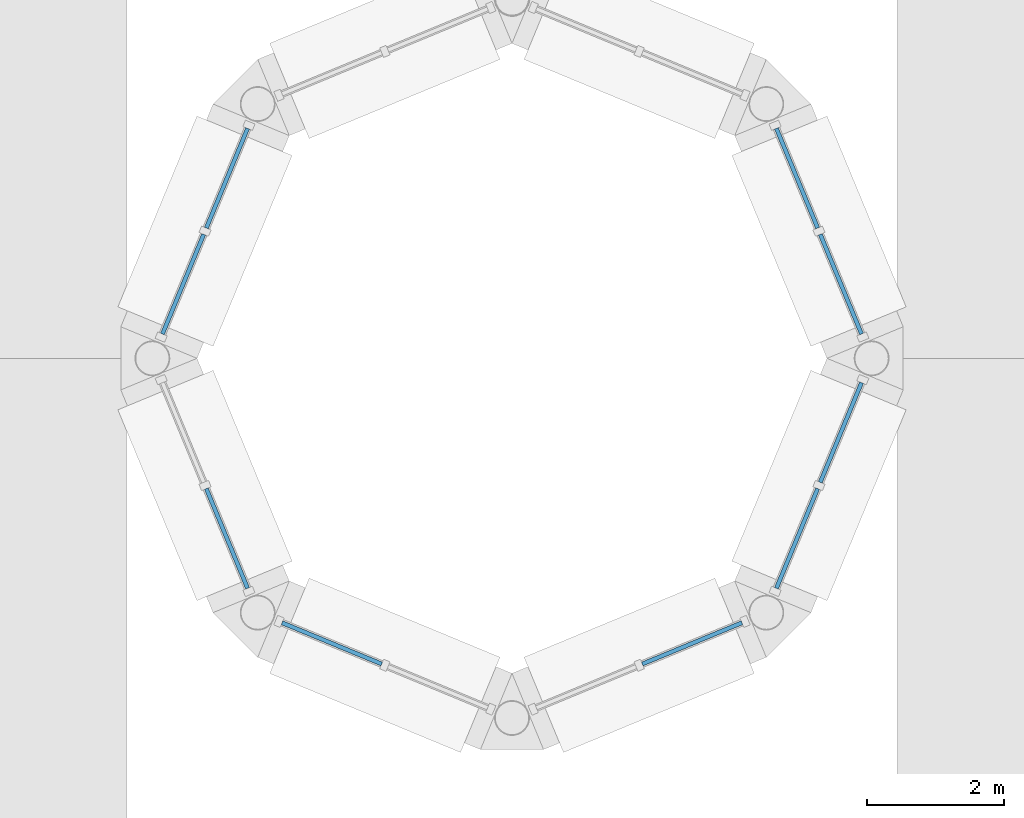
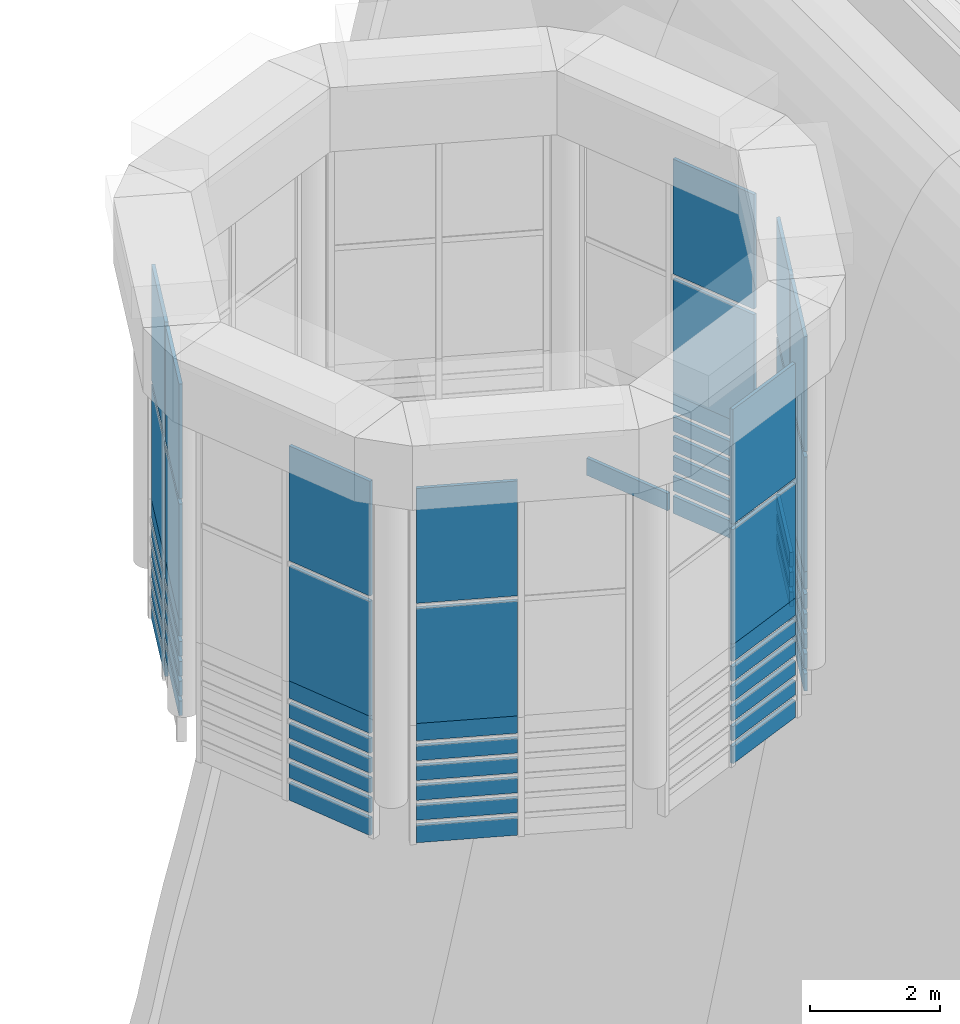
# One storey, part 5 of 14: 64 plates, 12 elements without a shape of their own.
"""IFC4 building model written with IfcOpenShell, lengths in metres."""

from ifc_helpers import new_model, si_unit, direction, frame, origin, origin_2d, place, context, subcontext, project, spatial, rectangle, extrude, material, layer, layer_set, type_object, element, aggregate, save


model = new_model("IFC4")

# Units and contexts
model_context = context("Model", 3, precision=1e-05, world=origin(), true_north=direction((0.0, 1.0)))
body_context = subcontext(model_context, "Body", "Model", "MODEL_VIEW")
ifc_project = project(units=[si_unit("LENGTHUNIT", "METRE"), si_unit("AREAUNIT", "SQUARE_METRE"), si_unit("VOLUMEUNIT", "CUBIC_METRE"), si_unit("PLANEANGLEUNIT", "RADIAN"), si_unit("MASSUNIT", "GRAM", prefix="KILO")], contexts=[model_context])

# Site, building, storey
site_placement = place(None, origin())
site = spatial("IfcSite", under=ifc_project, at=site_placement, CompositionType="ELEMENT")
building_placement = place(site_placement, origin())
building = spatial("IfcBuilding", under=site, at=building_placement, Name="Cobrizo Arcos Hotel Tower", CompositionType="ELEMENT")
storey_placement = place(building_placement, frame((0.0, 0.0, 290.0)))
storey = spatial("IfcBuildingStorey", under=building, at=storey_placement, Name="RF", CompositionType="ELEMENT", Elevation=290.0)

# Curtain wall, plates
ifc_material_1 = material(Name="Aluminium 6063-T6 anodised bronze", Category="aluminium")
curtain_wall_type = type_object("IfcCurtainWallType", Name="CW-D plant louvre wall", PredefinedType="NOTDEFINED", material=ifc_material_1)
curtain_wall_1_placement = place(storey_placement, origin())
curtain_wall_1 = element("IfcCurtainWall", 1, at=curtain_wall_1_placement, inside=storey, type_object=curtain_wall_type, Name="CW-D drum louvre wall t3L-1", PredefinedType="NOTDEFINED")
ifc_material_2 = material(Name="Glass clear laminated low-e", Category="glass")
ifc_layer_1 = layer(ifc_material_2, 0.0400390625)
ifc_layer_set_1 = layer_set([ifc_layer_1], Name="CW-D glass panel")
plate_type_1 = type_object("IfcPlateType", Name="CW-D glass panel", PredefinedType="CURTAIN_PANEL", material=ifc_layer_set_1)
plate_1_placement = place(storey_placement, frame((4.785400390625, 1.079345703125, 1.400146484375), z_axis=(0.0, 0.0, 1.0), x_axis=(-0.382683432365, 0.923879532511, 0.0)))
plate_1 = element("IfcPlate", 2, at=plate_1_placement, type_object=plate_type_1, Name="CW-D louvre panel 1-0", PredefinedType="CURTAIN_PANEL", context=body_context, shape_type="SweptSolid", body=[
    extrude(rectangle(XDim=1.568359375, YDim=0.06005859375, at=origin_2d()), origin(), (0.0, 0.0, 1.0), 2.14990234375),
])
plate_2_placement = place(storey_placement, frame((4.785400390625, 1.079345703125, 3.650146484375), z_axis=(0.0, 0.0, 1.0), x_axis=(-0.382683432365, 0.923879532511, 0.0)))
plate_2 = element("IfcPlate", 3, at=plate_2_placement, type_object=plate_type_1, Name="CW-D louvre panel 1-1", PredefinedType="CURTAIN_PANEL", context=body_context, shape_type="SweptSolid", body=[
    extrude(rectangle(XDim=1.568359375, YDim=0.06005859375, at=origin_2d()), origin(), (0.0, 0.0, 1.0), 2.14990234375),
])
aggregate(curtain_wall_1, [plate_1, plate_2])

curtain_wall_2_placement = place(storey_placement, origin())
curtain_wall_2 = element("IfcCurtainWall", 4, at=curtain_wall_2_placement, inside=storey, type_object=curtain_wall_type, Name="CW-D drum louvre wall t3L-4", PredefinedType="NOTDEFINED")
plate_3_placement = place(storey_placement, frame((-4.147216796875, 2.62060546875, 1.400146484375), z_axis=(0.0, 0.0, 1.0), x_axis=(-0.382683432365, -0.923879532511, 0.0)))
plate_3 = element("IfcPlate", 5, at=plate_3_placement, type_object=plate_type_1, Name="CW-D louvre panel 1-0", PredefinedType="CURTAIN_PANEL", context=body_context, shape_type="SweptSolid", body=[
    extrude(rectangle(XDim=1.568359375, YDim=0.06005859375, at=origin_2d()), origin(), (0.0, 0.0, 1.0), 2.14990234375),
])
plate_4_placement = place(storey_placement, frame((-4.147216796875, 2.62060546875, 3.650146484375), z_axis=(0.0, 0.0, 1.0), x_axis=(-0.382683432365, -0.923879532511, 0.0)))
plate_4 = element("IfcPlate", 6, at=plate_4_placement, type_object=plate_type_1, Name="CW-D louvre panel 1-1", PredefinedType="CURTAIN_PANEL", context=body_context, shape_type="SweptSolid", body=[
    extrude(rectangle(XDim=1.568359375, YDim=0.06005859375, at=origin_2d()), origin(), (0.0, 0.0, 1.0), 2.14990234375),
])
plate_5_placement = place(storey_placement, frame((-4.785400390625, 1.079345703125, 1.400146484375), z_axis=(0.0, 0.0, 1.0), x_axis=(-0.382683432365, -0.923879532511, 0.0)))
plate_5 = element("IfcPlate", 7, at=plate_5_placement, type_object=plate_type_1, Name="CW-D louvre panel 2-0", PredefinedType="CURTAIN_PANEL", context=body_context, shape_type="SweptSolid", body=[
    extrude(rectangle(XDim=1.568359375, YDim=0.06005859375, at=origin_2d()), origin(), (0.0, 0.0, 1.0), 2.14990234375),
])
plate_6_placement = place(storey_placement, frame((-4.785400390625, 1.079345703125, 3.650146484375), z_axis=(0.0, 0.0, 1.0), x_axis=(-0.382683432365, -0.923879532511, 0.0)))
plate_6 = element("IfcPlate", 8, at=plate_6_placement, type_object=plate_type_1, Name="CW-D louvre panel 2-1", PredefinedType="CURTAIN_PANEL", context=body_context, shape_type="SweptSolid", body=[
    extrude(rectangle(XDim=1.568359375, YDim=0.06005859375, at=origin_2d()), origin(), (0.0, 0.0, 1.0), 2.14990234375),
])
aggregate(curtain_wall_2, [plate_3, plate_4, plate_5, plate_6])

curtain_wall_3_placement = place(storey_placement, origin())
curtain_wall_3 = element("IfcCurtainWall", 9, at=curtain_wall_3_placement, inside=storey, type_object=curtain_wall_type, Name="CW-D drum louvre wall t3L-5", PredefinedType="NOTDEFINED")
plate_7_placement = place(storey_placement, frame((-4.147216796875, -2.62060546875, 1.400146484375), z_axis=(0.0, 0.0, 1.0), x_axis=(0.382683432365, -0.923879532511, 0.0)))
plate_7 = element("IfcPlate", 10, at=plate_7_placement, type_object=plate_type_1, Name="CW-D louvre panel 2-0", PredefinedType="CURTAIN_PANEL", context=body_context, shape_type="SweptSolid", body=[
    extrude(rectangle(XDim=1.568359375, YDim=0.06005859375, at=origin_2d()), origin(), (0.0, 0.0, 1.0), 2.14990234375),
])
plate_8_placement = place(storey_placement, frame((-4.147216796875, -2.62060546875, 3.650146484375), z_axis=(0.0, 0.0, 1.0), x_axis=(0.382683432365, -0.923879532511, 0.0)))
plate_8 = element("IfcPlate", 11, at=plate_8_placement, type_object=plate_type_1, Name="CW-D louvre panel 2-1", PredefinedType="CURTAIN_PANEL", context=body_context, shape_type="SweptSolid", body=[
    extrude(rectangle(XDim=1.568359375, YDim=0.06005859375, at=origin_2d()), origin(), (0.0, 0.0, 1.0), 2.14990234375),
])
aggregate(curtain_wall_3, [plate_7, plate_8])

curtain_wall_4_placement = place(storey_placement, origin())
curtain_wall_4 = element("IfcCurtainWall", 12, at=curtain_wall_4_placement, inside=storey, type_object=curtain_wall_type, Name="CW-D drum louvre wall t3L-6", PredefinedType="NOTDEFINED")
plate_9_placement = place(storey_placement, frame((-2.62060546875, -4.147216796875, 1.400146484375), z_axis=(0.0, 0.0, 1.0), x_axis=(0.923879532511, -0.382683432365, 0.0)))
plate_9 = element("IfcPlate", 13, at=plate_9_placement, type_object=plate_type_1, Name="CW-D louvre panel 1-0", PredefinedType="CURTAIN_PANEL", context=body_context, shape_type="SweptSolid", body=[
    extrude(rectangle(XDim=1.568359375, YDim=0.06005859375, at=origin_2d()), origin(), (0.0, 0.0, 1.0), 2.14990234375),
])
plate_10_placement = place(storey_placement, frame((-2.62060546875, -4.147216796875, 3.650146484375), z_axis=(0.0, 0.0, 1.0), x_axis=(0.923879532511, -0.382683432365, 0.0)))
plate_10 = element("IfcPlate", 14, at=plate_10_placement, type_object=plate_type_1, Name="CW-D louvre panel 1-1", PredefinedType="CURTAIN_PANEL", context=body_context, shape_type="SweptSolid", body=[
    extrude(rectangle(XDim=1.568359375, YDim=0.06005859375, at=origin_2d()), origin(), (0.0, 0.0, 1.0), 2.14990234375),
])
aggregate(curtain_wall_4, [plate_9, plate_10])

curtain_wall_5_placement = place(storey_placement, origin())
curtain_wall_5 = element("IfcCurtainWall", 15, at=curtain_wall_5_placement, inside=storey, type_object=curtain_wall_type, Name="CW-D drum louvre wall t3L-7", PredefinedType="NOTDEFINED")
plate_11_placement = place(storey_placement, frame((2.62060546875, -4.147216796875, 1.400146484375), z_axis=(0.0, 0.0, 1.0), x_axis=(0.923879532511, 0.382683432365, 0.0)))
plate_11 = element("IfcPlate", 16, at=plate_11_placement, type_object=plate_type_1, Name="CW-D louvre panel 2-0", PredefinedType="CURTAIN_PANEL", context=body_context, shape_type="SweptSolid", body=[
    extrude(rectangle(XDim=1.568359375, YDim=0.06005859375, at=origin_2d()), origin(), (0.0, 0.0, 1.0), 2.14990234375),
])
plate_12_placement = place(storey_placement, frame((2.62060546875, -4.147216796875, 3.650146484375), z_axis=(0.0, 0.0, 1.0), x_axis=(0.923879532511, 0.382683432365, 0.0)))
plate_12 = element("IfcPlate", 17, at=plate_12_placement, type_object=plate_type_1, Name="CW-D louvre panel 2-1", PredefinedType="CURTAIN_PANEL", context=body_context, shape_type="SweptSolid", body=[
    extrude(rectangle(XDim=1.568359375, YDim=0.06005859375, at=origin_2d()), origin(), (0.0, 0.0, 1.0), 2.14990234375),
])
aggregate(curtain_wall_5, [plate_11, plate_12])

curtain_wall_6_placement = place(storey_placement, origin())
curtain_wall_6 = element("IfcCurtainWall", 18, at=curtain_wall_6_placement, inside=storey, type_object=curtain_wall_type, Name="CW-D drum louvre wall t3L-8", PredefinedType="NOTDEFINED")
plate_13_placement = place(storey_placement, frame((4.147216796875, -2.62060546875, 1.400146484375), z_axis=(0.0, 0.0, 1.0), x_axis=(0.382683432365, 0.923879532511, 0.0)))
plate_13 = element("IfcPlate", 19, at=plate_13_placement, type_object=plate_type_1, Name="CW-D louvre panel 1-0", PredefinedType="CURTAIN_PANEL", context=body_context, shape_type="SweptSolid", body=[
    extrude(rectangle(XDim=1.568359375, YDim=0.06005859375, at=origin_2d()), origin(), (0.0, 0.0, 1.0), 2.14990234375),
])
plate_14_placement = place(storey_placement, frame((4.147216796875, -2.62060546875, 3.650146484375), z_axis=(0.0, 0.0, 1.0), x_axis=(0.382683432365, 0.923879532511, 0.0)))
plate_14 = element("IfcPlate", 20, at=plate_14_placement, type_object=plate_type_1, Name="CW-D louvre panel 1-1", PredefinedType="CURTAIN_PANEL", context=body_context, shape_type="SweptSolid", body=[
    extrude(rectangle(XDim=1.568359375, YDim=0.06005859375, at=origin_2d()), origin(), (0.0, 0.0, 1.0), 2.14990234375),
])
plate_15_placement = place(storey_placement, frame((4.785400390625, -1.079345703125, 1.400146484375), z_axis=(0.0, 0.0, 1.0), x_axis=(0.382683432365, 0.923879532511, 0.0)))
plate_15 = element("IfcPlate", 21, at=plate_15_placement, type_object=plate_type_1, Name="CW-D louvre panel 2-0", PredefinedType="CURTAIN_PANEL", context=body_context, shape_type="SweptSolid", body=[
    extrude(rectangle(XDim=1.568359375, YDim=0.06005859375, at=origin_2d()), origin(), (0.0, 0.0, 1.0), 2.14990234375),
])
plate_16_placement = place(storey_placement, frame((4.785400390625, -1.079345703125, 3.650146484375), z_axis=(0.0, 0.0, 1.0), x_axis=(0.382683432365, 0.923879532511, 0.0)))
plate_16 = element("IfcPlate", 22, at=plate_16_placement, type_object=plate_type_1, Name="CW-D louvre panel 2-1", PredefinedType="CURTAIN_PANEL", context=body_context, shape_type="SweptSolid", body=[
    extrude(rectangle(XDim=1.568359375, YDim=0.06005859375, at=origin_2d()), origin(), (0.0, 0.0, 1.0), 2.14990234375),
])
aggregate(curtain_wall_6, [plate_13, plate_14, plate_15, plate_16])

curtain_wall_7_placement = place(storey_placement, origin())
curtain_wall_7 = element("IfcCurtainWall", 23, at=curtain_wall_7_placement, inside=storey, type_object=curtain_wall_type, Name="CW-D drum louvre wall t3-1", PredefinedType="NOTDEFINED")
ifc_material_3 = material(Name="Aluminium composite panel pale metal", Category="aluminium")
ifc_layer_2 = layer(ifc_material_3, 0.06005859375)
ifc_layer_set_2 = layer_set([ifc_layer_2], Name="CW-D spandrel panel")
plate_type_2 = type_object("IfcPlateType", Name="CW-D spandrel panel", PredefinedType="CURTAIN_PANEL", material=ifc_layer_set_2)
plate_17_placement = place(storey_placement, frame((4.785400390625, 1.079345703125, -0.833251953125), z_axis=(0.0, 0.0, 1.0), x_axis=(-0.382683432365, 0.923879532511, 0.0)))
plate_17 = element("IfcPlate", 24, at=plate_17_placement, type_object=plate_type_2, Name="CW-D louvre panel 1-0", PredefinedType="CURTAIN_PANEL", context=body_context, shape_type="SweptSolid", body=[
    extrude(rectangle(XDim=1.568359375, YDim=0.06005859375, at=origin_2d()), origin(), (0.0, 0.0, 1.0), 0.322265625),
])
plate_18_placement = place(storey_placement, frame((4.785400390625, 1.079345703125, -0.4111328125), z_axis=(0.0, 0.0, 1.0), x_axis=(-0.382683432365, 0.923879532511, 0.0)))
plate_18 = element("IfcPlate", 25, at=plate_18_placement, type_object=plate_type_2, Name="CW-D louvre panel 1-1", PredefinedType="CURTAIN_PANEL", context=body_context, shape_type="SweptSolid", body=[
    extrude(rectangle(XDim=1.568359375, YDim=0.06005859375, at=origin_2d()), origin(), (0.0, 0.0, 1.0), 0.272216796875),
])
plate_19_placement = place(storey_placement, frame((4.785400390625, 1.079345703125, -0.0390625), z_axis=(0.0, 0.0, 1.0), x_axis=(-0.382683432365, 0.923879532511, 0.0)))
plate_19 = element("IfcPlate", 26, at=plate_19_placement, type_object=plate_type_2, Name="CW-D louvre panel 1-2", PredefinedType="CURTAIN_PANEL", context=body_context, shape_type="SweptSolid", body=[
    extrude(rectangle(XDim=1.568359375, YDim=0.06005859375, at=origin_2d()), origin(), (0.0, 0.0, 1.0), 0.272216796875),
])
plate_20_placement = place(storey_placement, frame((4.785400390625, 1.079345703125, 0.33349609375), z_axis=(0.0, 0.0, 1.0), x_axis=(-0.382683432365, 0.923879532511, 0.0)))
plate_20 = element("IfcPlate", 27, at=plate_20_placement, type_object=plate_type_2, Name="CW-D louvre panel 1-3", PredefinedType="CURTAIN_PANEL", context=body_context, shape_type="SweptSolid", body=[
    extrude(rectangle(XDim=1.568359375, YDim=0.06005859375, at=origin_2d()), origin(), (0.0, 0.0, 1.0), 0.272216796875),
])
plate_21_placement = place(storey_placement, frame((4.785400390625, 1.079345703125, 0.70556640625), z_axis=(0.0, 0.0, 1.0), x_axis=(-0.382683432365, 0.923879532511, 0.0)))
plate_21 = element("IfcPlate", 28, at=plate_21_placement, type_object=plate_type_2, Name="CW-D louvre panel 1-4", PredefinedType="CURTAIN_PANEL", context=body_context, shape_type="SweptSolid", body=[
    extrude(rectangle(XDim=1.568359375, YDim=0.06005859375, at=origin_2d()), origin(), (0.0, 0.0, 1.0), 0.272216796875),
])
plate_22_placement = place(storey_placement, frame((4.785400390625, 1.079345703125, 1.077880859375), z_axis=(0.0, 0.0, 1.0), x_axis=(-0.382683432365, 0.923879532511, 0.0)))
plate_22 = element("IfcPlate", 29, at=plate_22_placement, type_object=plate_type_2, Name="CW-D louvre panel 1-5", PredefinedType="CURTAIN_PANEL", context=body_context, shape_type="SweptSolid", body=[
    extrude(rectangle(XDim=1.568359375, YDim=0.06005859375, at=origin_2d()), origin(), (0.0, 0.0, 1.0), 0.322265625),
])
plate_23_placement = place(storey_placement, frame((4.147216796875, 2.62060546875, -0.833251953125), z_axis=(0.0, 0.0, 1.0), x_axis=(-0.382683432365, 0.923879532511, 0.0)))
plate_23 = element("IfcPlate", 30, at=plate_23_placement, type_object=plate_type_2, Name="CW-D louvre panel 2-0", PredefinedType="CURTAIN_PANEL", context=body_context, shape_type="SweptSolid", body=[
    extrude(rectangle(XDim=1.568359375, YDim=0.06005859375, at=origin_2d()), origin(), (0.0, 0.0, 1.0), 0.322265625),
])
aggregate(curtain_wall_7, [plate_17, plate_18, plate_19, plate_20, plate_21, plate_22, plate_23])

curtain_wall_8_placement = place(storey_placement, origin())
curtain_wall_8 = element("IfcCurtainWall", 31, at=curtain_wall_8_placement, inside=storey, type_object=curtain_wall_type, Name="CW-D drum louvre wall t3-4", PredefinedType="NOTDEFINED")
plate_24_placement = place(storey_placement, frame((-4.147216796875, 2.62060546875, -0.833251953125), z_axis=(0.0, 0.0, 1.0), x_axis=(-0.382683432365, -0.923879532511, 0.0)))
plate_24 = element("IfcPlate", 32, at=plate_24_placement, type_object=plate_type_2, Name="CW-D louvre panel 1-0", PredefinedType="CURTAIN_PANEL", context=body_context, shape_type="SweptSolid", body=[
    extrude(rectangle(XDim=1.568359375, YDim=0.06005859375, at=origin_2d()), origin(), (0.0, 0.0, 1.0), 0.322265625),
])
plate_25_placement = place(storey_placement, frame((-4.147216796875, 2.62060546875, -0.4111328125), z_axis=(0.0, 0.0, 1.0), x_axis=(-0.382683432365, -0.923879532511, 0.0)))
plate_25 = element("IfcPlate", 33, at=plate_25_placement, type_object=plate_type_2, Name="CW-D louvre panel 1-1", PredefinedType="CURTAIN_PANEL", context=body_context, shape_type="SweptSolid", body=[
    extrude(rectangle(XDim=1.568359375, YDim=0.06005859375, at=origin_2d()), origin(), (0.0, 0.0, 1.0), 0.272216796875),
])
plate_26_placement = place(storey_placement, frame((-4.147216796875, 2.62060546875, -0.0390625), z_axis=(0.0, 0.0, 1.0), x_axis=(-0.382683432365, -0.923879532511, 0.0)))
plate_26 = element("IfcPlate", 34, at=plate_26_placement, type_object=plate_type_2, Name="CW-D louvre panel 1-2", PredefinedType="CURTAIN_PANEL", context=body_context, shape_type="SweptSolid", body=[
    extrude(rectangle(XDim=1.568359375, YDim=0.06005859375, at=origin_2d()), origin(), (0.0, 0.0, 1.0), 0.272216796875),
])
plate_27_placement = place(storey_placement, frame((-4.147216796875, 2.62060546875, 0.33349609375), z_axis=(0.0, 0.0, 1.0), x_axis=(-0.382683432365, -0.923879532511, 0.0)))
plate_27 = element("IfcPlate", 35, at=plate_27_placement, type_object=plate_type_2, Name="CW-D louvre panel 1-3", PredefinedType="CURTAIN_PANEL", context=body_context, shape_type="SweptSolid", body=[
    extrude(rectangle(XDim=1.568359375, YDim=0.06005859375, at=origin_2d()), origin(), (0.0, 0.0, 1.0), 0.272216796875),
])
plate_28_placement = place(storey_placement, frame((-4.147216796875, 2.62060546875, 0.70556640625), z_axis=(0.0, 0.0, 1.0), x_axis=(-0.382683432365, -0.923879532511, 0.0)))
plate_28 = element("IfcPlate", 36, at=plate_28_placement, type_object=plate_type_2, Name="CW-D louvre panel 1-4", PredefinedType="CURTAIN_PANEL", context=body_context, shape_type="SweptSolid", body=[
    extrude(rectangle(XDim=1.568359375, YDim=0.06005859375, at=origin_2d()), origin(), (0.0, 0.0, 1.0), 0.272216796875),
])
plate_29_placement = place(storey_placement, frame((-4.147216796875, 2.62060546875, 1.077880859375), z_axis=(0.0, 0.0, 1.0), x_axis=(-0.382683432365, -0.923879532511, 0.0)))
plate_29 = element("IfcPlate", 37, at=plate_29_placement, type_object=plate_type_2, Name="CW-D louvre panel 1-5", PredefinedType="CURTAIN_PANEL", context=body_context, shape_type="SweptSolid", body=[
    extrude(rectangle(XDim=1.568359375, YDim=0.06005859375, at=origin_2d()), origin(), (0.0, 0.0, 1.0), 0.322265625),
])
plate_30_placement = place(storey_placement, frame((-4.785400390625, 1.079345703125, -0.4111328125), z_axis=(0.0, 0.0, 1.0), x_axis=(-0.382683432365, -0.923879532511, 0.0)))
plate_30 = element("IfcPlate", 38, at=plate_30_placement, type_object=plate_type_2, Name="CW-D louvre panel 2-1", PredefinedType="CURTAIN_PANEL", context=body_context, shape_type="SweptSolid", body=[
    extrude(rectangle(XDim=1.568359375, YDim=0.06005859375, at=origin_2d()), origin(), (0.0, 0.0, 1.0), 0.272216796875),
])
plate_31_placement = place(storey_placement, frame((-4.785400390625, 1.079345703125, -0.0390625), z_axis=(0.0, 0.0, 1.0), x_axis=(-0.382683432365, -0.923879532511, 0.0)))
plate_31 = element("IfcPlate", 39, at=plate_31_placement, type_object=plate_type_2, Name="CW-D louvre panel 2-2", PredefinedType="CURTAIN_PANEL", context=body_context, shape_type="SweptSolid", body=[
    extrude(rectangle(XDim=1.568359375, YDim=0.06005859375, at=origin_2d()), origin(), (0.0, 0.0, 1.0), 0.272216796875),
])
plate_32_placement = place(storey_placement, frame((-4.785400390625, 1.079345703125, 0.33349609375), z_axis=(0.0, 0.0, 1.0), x_axis=(-0.382683432365, -0.923879532511, 0.0)))
plate_32 = element("IfcPlate", 40, at=plate_32_placement, type_object=plate_type_2, Name="CW-D louvre panel 2-3", PredefinedType="CURTAIN_PANEL", context=body_context, shape_type="SweptSolid", body=[
    extrude(rectangle(XDim=1.568359375, YDim=0.06005859375, at=origin_2d()), origin(), (0.0, 0.0, 1.0), 0.272216796875),
])
plate_33_placement = place(storey_placement, frame((-4.785400390625, 1.079345703125, 0.70556640625), z_axis=(0.0, 0.0, 1.0), x_axis=(-0.382683432365, -0.923879532511, 0.0)))
plate_33 = element("IfcPlate", 41, at=plate_33_placement, type_object=plate_type_2, Name="CW-D louvre panel 2-4", PredefinedType="CURTAIN_PANEL", context=body_context, shape_type="SweptSolid", body=[
    extrude(rectangle(XDim=1.568359375, YDim=0.06005859375, at=origin_2d()), origin(), (0.0, 0.0, 1.0), 0.272216796875),
])
plate_34_placement = place(storey_placement, frame((-4.785400390625, 1.079345703125, 1.077880859375), z_axis=(0.0, 0.0, 1.0), x_axis=(-0.382683432365, -0.923879532511, 0.0)))
plate_34 = element("IfcPlate", 42, at=plate_34_placement, type_object=plate_type_2, Name="CW-D louvre panel 2-5", PredefinedType="CURTAIN_PANEL", context=body_context, shape_type="SweptSolid", body=[
    extrude(rectangle(XDim=1.568359375, YDim=0.06005859375, at=origin_2d()), origin(), (0.0, 0.0, 1.0), 0.322265625),
])
aggregate(curtain_wall_8, [plate_24, plate_25, plate_26, plate_27, plate_28, plate_29, plate_30, plate_31, plate_32, plate_33, plate_34])

curtain_wall_9_placement = place(storey_placement, origin())
curtain_wall_9 = element("IfcCurtainWall", 43, at=curtain_wall_9_placement, inside=storey, type_object=curtain_wall_type, Name="CW-D drum louvre wall t3-5", PredefinedType="NOTDEFINED")
plate_35_placement = place(storey_placement, frame((-4.147216796875, -2.62060546875, -0.833251953125), z_axis=(0.0, 0.0, 1.0), x_axis=(0.382683432365, -0.923879532511, 0.0)))
plate_35 = element("IfcPlate", 44, at=plate_35_placement, type_object=plate_type_2, Name="CW-D louvre panel 2-0", PredefinedType="CURTAIN_PANEL", context=body_context, shape_type="SweptSolid", body=[
    extrude(rectangle(XDim=1.568359375, YDim=0.06005859375, at=origin_2d()), origin(), (0.0, 0.0, 1.0), 0.322265625),
])
plate_36_placement = place(storey_placement, frame((-4.147216796875, -2.62060546875, -0.4111328125), z_axis=(0.0, 0.0, 1.0), x_axis=(0.382683432365, -0.923879532511, 0.0)))
plate_36 = element("IfcPlate", 45, at=plate_36_placement, type_object=plate_type_2, Name="CW-D louvre panel 2-1", PredefinedType="CURTAIN_PANEL", context=body_context, shape_type="SweptSolid", body=[
    extrude(rectangle(XDim=1.568359375, YDim=0.06005859375, at=origin_2d()), origin(), (0.0, 0.0, 1.0), 0.272216796875),
])
plate_37_placement = place(storey_placement, frame((-4.147216796875, -2.62060546875, -0.0390625), z_axis=(0.0, 0.0, 1.0), x_axis=(0.382683432365, -0.923879532511, 0.0)))
plate_37 = element("IfcPlate", 46, at=plate_37_placement, type_object=plate_type_2, Name="CW-D louvre panel 2-2", PredefinedType="CURTAIN_PANEL", context=body_context, shape_type="SweptSolid", body=[
    extrude(rectangle(XDim=1.568359375, YDim=0.06005859375, at=origin_2d()), origin(), (0.0, 0.0, 1.0), 0.272216796875),
])
plate_38_placement = place(storey_placement, frame((-4.147216796875, -2.62060546875, 0.33349609375), z_axis=(0.0, 0.0, 1.0), x_axis=(0.382683432365, -0.923879532511, 0.0)))
plate_38 = element("IfcPlate", 47, at=plate_38_placement, type_object=plate_type_2, Name="CW-D louvre panel 2-3", PredefinedType="CURTAIN_PANEL", context=body_context, shape_type="SweptSolid", body=[
    extrude(rectangle(XDim=1.568359375, YDim=0.06005859375, at=origin_2d()), origin(), (0.0, 0.0, 1.0), 0.272216796875),
])
plate_39_placement = place(storey_placement, frame((-4.147216796875, -2.62060546875, 0.70556640625), z_axis=(0.0, 0.0, 1.0), x_axis=(0.382683432365, -0.923879532511, 0.0)))
plate_39 = element("IfcPlate", 48, at=plate_39_placement, type_object=plate_type_2, Name="CW-D louvre panel 2-4", PredefinedType="CURTAIN_PANEL", context=body_context, shape_type="SweptSolid", body=[
    extrude(rectangle(XDim=1.568359375, YDim=0.06005859375, at=origin_2d()), origin(), (0.0, 0.0, 1.0), 0.272216796875),
])
plate_40_placement = place(storey_placement, frame((-4.147216796875, -2.62060546875, 1.077880859375), z_axis=(0.0, 0.0, 1.0), x_axis=(0.382683432365, -0.923879532511, 0.0)))
plate_40 = element("IfcPlate", 49, at=plate_40_placement, type_object=plate_type_2, Name="CW-D louvre panel 2-5", PredefinedType="CURTAIN_PANEL", context=body_context, shape_type="SweptSolid", body=[
    extrude(rectangle(XDim=1.568359375, YDim=0.06005859375, at=origin_2d()), origin(), (0.0, 0.0, 1.0), 0.322265625),
])
aggregate(curtain_wall_9, [plate_35, plate_36, plate_37, plate_38, plate_39, plate_40])

curtain_wall_10_placement = place(storey_placement, origin())
curtain_wall_10 = element("IfcCurtainWall", 50, at=curtain_wall_10_placement, inside=storey, type_object=curtain_wall_type, Name="CW-D drum louvre wall t3-6", PredefinedType="NOTDEFINED")
plate_41_placement = place(storey_placement, frame((-2.62060546875, -4.147216796875, -0.833251953125), z_axis=(0.0, 0.0, 1.0), x_axis=(0.923879532511, -0.382683432365, 0.0)))
plate_41 = element("IfcPlate", 51, at=plate_41_placement, type_object=plate_type_2, Name="CW-D louvre panel 1-0", PredefinedType="CURTAIN_PANEL", context=body_context, shape_type="SweptSolid", body=[
    extrude(rectangle(XDim=1.568359375, YDim=0.06005859375, at=origin_2d()), origin(), (0.0, 0.0, 1.0), 0.322265625),
])
plate_42_placement = place(storey_placement, frame((-2.62060546875, -4.147216796875, -0.4111328125), z_axis=(0.0, 0.0, 1.0), x_axis=(0.923879532511, -0.382683432365, 0.0)))
plate_42 = element("IfcPlate", 52, at=plate_42_placement, type_object=plate_type_2, Name="CW-D louvre panel 1-1", PredefinedType="CURTAIN_PANEL", context=body_context, shape_type="SweptSolid", body=[
    extrude(rectangle(XDim=1.568359375, YDim=0.06005859375, at=origin_2d()), origin(), (0.0, 0.0, 1.0), 0.272216796875),
])
plate_43_placement = place(storey_placement, frame((-2.62060546875, -4.147216796875, -0.0390625), z_axis=(0.0, 0.0, 1.0), x_axis=(0.923879532511, -0.382683432365, 0.0)))
plate_43 = element("IfcPlate", 53, at=plate_43_placement, type_object=plate_type_2, Name="CW-D louvre panel 1-2", PredefinedType="CURTAIN_PANEL", context=body_context, shape_type="SweptSolid", body=[
    extrude(rectangle(XDim=1.568359375, YDim=0.06005859375, at=origin_2d()), origin(), (0.0, 0.0, 1.0), 0.272216796875),
])
plate_44_placement = place(storey_placement, frame((-2.62060546875, -4.147216796875, 0.33349609375), z_axis=(0.0, 0.0, 1.0), x_axis=(0.923879532511, -0.382683432365, 0.0)))
plate_44 = element("IfcPlate", 54, at=plate_44_placement, type_object=plate_type_2, Name="CW-D louvre panel 1-3", PredefinedType="CURTAIN_PANEL", context=body_context, shape_type="SweptSolid", body=[
    extrude(rectangle(XDim=1.568359375, YDim=0.06005859375, at=origin_2d()), origin(), (0.0, 0.0, 1.0), 0.272216796875),
])
plate_45_placement = place(storey_placement, frame((-2.62060546875, -4.147216796875, 0.70556640625), z_axis=(0.0, 0.0, 1.0), x_axis=(0.923879532511, -0.382683432365, 0.0)))
plate_45 = element("IfcPlate", 55, at=plate_45_placement, type_object=plate_type_2, Name="CW-D louvre panel 1-4", PredefinedType="CURTAIN_PANEL", context=body_context, shape_type="SweptSolid", body=[
    extrude(rectangle(XDim=1.568359375, YDim=0.06005859375, at=origin_2d()), origin(), (0.0, 0.0, 1.0), 0.272216796875),
])
plate_46_placement = place(storey_placement, frame((-2.62060546875, -4.147216796875, 1.077880859375), z_axis=(0.0, 0.0, 1.0), x_axis=(0.923879532511, -0.382683432365, 0.0)))
plate_46 = element("IfcPlate", 56, at=plate_46_placement, type_object=plate_type_2, Name="CW-D louvre panel 1-5", PredefinedType="CURTAIN_PANEL", context=body_context, shape_type="SweptSolid", body=[
    extrude(rectangle(XDim=1.568359375, YDim=0.06005859375, at=origin_2d()), origin(), (0.0, 0.0, 1.0), 0.322265625),
])
aggregate(curtain_wall_10, [plate_41, plate_42, plate_43, plate_44, plate_45, plate_46])

curtain_wall_11_placement = place(storey_placement, origin())
curtain_wall_11 = element("IfcCurtainWall", 57, at=curtain_wall_11_placement, inside=storey, type_object=curtain_wall_type, Name="CW-D drum louvre wall t3-7", PredefinedType="NOTDEFINED")
plate_47_placement = place(storey_placement, frame((2.62060546875, -4.147216796875, -0.833251953125), z_axis=(0.0, 0.0, 1.0), x_axis=(0.923879532511, 0.382683432365, 0.0)))
plate_47 = element("IfcPlate", 58, at=plate_47_placement, type_object=plate_type_2, Name="CW-D louvre panel 2-0", PredefinedType="CURTAIN_PANEL", context=body_context, shape_type="SweptSolid", body=[
    extrude(rectangle(XDim=1.568359375, YDim=0.06005859375, at=origin_2d()), origin(), (0.0, 0.0, 1.0), 0.322265625),
])
plate_48_placement = place(storey_placement, frame((2.62060546875, -4.147216796875, -0.4111328125), z_axis=(0.0, 0.0, 1.0), x_axis=(0.923879532511, 0.382683432365, 0.0)))
plate_48 = element("IfcPlate", 59, at=plate_48_placement, type_object=plate_type_2, Name="CW-D louvre panel 2-1", PredefinedType="CURTAIN_PANEL", context=body_context, shape_type="SweptSolid", body=[
    extrude(rectangle(XDim=1.568359375, YDim=0.06005859375, at=origin_2d()), origin(), (0.0, 0.0, 1.0), 0.272216796875),
])
plate_49_placement = place(storey_placement, frame((2.62060546875, -4.147216796875, -0.0390625), z_axis=(0.0, 0.0, 1.0), x_axis=(0.923879532511, 0.382683432365, 0.0)))
plate_49 = element("IfcPlate", 60, at=plate_49_placement, type_object=plate_type_2, Name="CW-D louvre panel 2-2", PredefinedType="CURTAIN_PANEL", context=body_context, shape_type="SweptSolid", body=[
    extrude(rectangle(XDim=1.568359375, YDim=0.06005859375, at=origin_2d()), origin(), (0.0, 0.0, 1.0), 0.272216796875),
])
plate_50_placement = place(storey_placement, frame((2.62060546875, -4.147216796875, 0.33349609375), z_axis=(0.0, 0.0, 1.0), x_axis=(0.923879532511, 0.382683432365, 0.0)))
plate_50 = element("IfcPlate", 61, at=plate_50_placement, type_object=plate_type_2, Name="CW-D louvre panel 2-3", PredefinedType="CURTAIN_PANEL", context=body_context, shape_type="SweptSolid", body=[
    extrude(rectangle(XDim=1.568359375, YDim=0.06005859375, at=origin_2d()), origin(), (0.0, 0.0, 1.0), 0.272216796875),
])
plate_51_placement = place(storey_placement, frame((2.62060546875, -4.147216796875, 0.70556640625), z_axis=(0.0, 0.0, 1.0), x_axis=(0.923879532511, 0.382683432365, 0.0)))
plate_51 = element("IfcPlate", 62, at=plate_51_placement, type_object=plate_type_2, Name="CW-D louvre panel 2-4", PredefinedType="CURTAIN_PANEL", context=body_context, shape_type="SweptSolid", body=[
    extrude(rectangle(XDim=1.568359375, YDim=0.06005859375, at=origin_2d()), origin(), (0.0, 0.0, 1.0), 0.272216796875),
])
plate_52_placement = place(storey_placement, frame((2.62060546875, -4.147216796875, 1.077880859375), z_axis=(0.0, 0.0, 1.0), x_axis=(0.923879532511, 0.382683432365, 0.0)))
plate_52 = element("IfcPlate", 63, at=plate_52_placement, type_object=plate_type_2, Name="CW-D louvre panel 2-5", PredefinedType="CURTAIN_PANEL", context=body_context, shape_type="SweptSolid", body=[
    extrude(rectangle(XDim=1.568359375, YDim=0.06005859375, at=origin_2d()), origin(), (0.0, 0.0, 1.0), 0.322265625),
])
aggregate(curtain_wall_11, [plate_47, plate_48, plate_49, plate_50, plate_51, plate_52])

curtain_wall_12_placement = place(storey_placement, origin())
curtain_wall_12 = element("IfcCurtainWall", 64, at=curtain_wall_12_placement, inside=storey, type_object=curtain_wall_type, Name="CW-D drum louvre wall t3-8", PredefinedType="NOTDEFINED")
plate_53_placement = place(storey_placement, frame((4.147216796875, -2.62060546875, -0.833251953125), z_axis=(0.0, 0.0, 1.0), x_axis=(0.382683432365, 0.923879532511, 0.0)))
plate_53 = element("IfcPlate", 65, at=plate_53_placement, type_object=plate_type_2, Name="CW-D louvre panel 1-0", PredefinedType="CURTAIN_PANEL", context=body_context, shape_type="SweptSolid", body=[
    extrude(rectangle(XDim=1.568359375, YDim=0.06005859375, at=origin_2d()), origin(), (0.0, 0.0, 1.0), 0.322265625),
])
plate_54_placement = place(storey_placement, frame((4.147216796875, -2.62060546875, -0.4111328125), z_axis=(0.0, 0.0, 1.0), x_axis=(0.382683432365, 0.923879532511, 0.0)))
plate_54 = element("IfcPlate", 66, at=plate_54_placement, type_object=plate_type_2, Name="CW-D louvre panel 1-1", PredefinedType="CURTAIN_PANEL", context=body_context, shape_type="SweptSolid", body=[
    extrude(rectangle(XDim=1.568359375, YDim=0.06005859375, at=origin_2d()), origin(), (0.0, 0.0, 1.0), 0.272216796875),
])
plate_55_placement = place(storey_placement, frame((4.147216796875, -2.62060546875, -0.0390625), z_axis=(0.0, 0.0, 1.0), x_axis=(0.382683432365, 0.923879532511, 0.0)))
plate_55 = element("IfcPlate", 67, at=plate_55_placement, type_object=plate_type_2, Name="CW-D louvre panel 1-2", PredefinedType="CURTAIN_PANEL", context=body_context, shape_type="SweptSolid", body=[
    extrude(rectangle(XDim=1.568359375, YDim=0.06005859375, at=origin_2d()), origin(), (0.0, 0.0, 1.0), 0.272216796875),
])
plate_56_placement = place(storey_placement, frame((4.147216796875, -2.62060546875, 0.33349609375), z_axis=(0.0, 0.0, 1.0), x_axis=(0.382683432365, 0.923879532511, 0.0)))
plate_56 = element("IfcPlate", 68, at=plate_56_placement, type_object=plate_type_2, Name="CW-D louvre panel 1-3", PredefinedType="CURTAIN_PANEL", context=body_context, shape_type="SweptSolid", body=[
    extrude(rectangle(XDim=1.568359375, YDim=0.06005859375, at=origin_2d()), origin(), (0.0, 0.0, 1.0), 0.272216796875),
])
plate_57_placement = place(storey_placement, frame((4.147216796875, -2.62060546875, 0.70556640625), z_axis=(0.0, 0.0, 1.0), x_axis=(0.382683432365, 0.923879532511, 0.0)))
plate_57 = element("IfcPlate", 69, at=plate_57_placement, type_object=plate_type_2, Name="CW-D louvre panel 1-4", PredefinedType="CURTAIN_PANEL", context=body_context, shape_type="SweptSolid", body=[
    extrude(rectangle(XDim=1.568359375, YDim=0.06005859375, at=origin_2d()), origin(), (0.0, 0.0, 1.0), 0.272216796875),
])
plate_58_placement = place(storey_placement, frame((4.147216796875, -2.62060546875, 1.077880859375), z_axis=(0.0, 0.0, 1.0), x_axis=(0.382683432365, 0.923879532511, 0.0)))
plate_58 = element("IfcPlate", 70, at=plate_58_placement, type_object=plate_type_2, Name="CW-D louvre panel 1-5", PredefinedType="CURTAIN_PANEL", context=body_context, shape_type="SweptSolid", body=[
    extrude(rectangle(XDim=1.568359375, YDim=0.06005859375, at=origin_2d()), origin(), (0.0, 0.0, 1.0), 0.322265625),
])
plate_59_placement = place(storey_placement, frame((4.785400390625, -1.079345703125, -0.833251953125), z_axis=(0.0, 0.0, 1.0), x_axis=(0.382683432365, 0.923879532511, 0.0)))
plate_59 = element("IfcPlate", 71, at=plate_59_placement, type_object=plate_type_2, Name="CW-D louvre panel 2-0", PredefinedType="CURTAIN_PANEL", context=body_context, shape_type="SweptSolid", body=[
    extrude(rectangle(XDim=1.568359375, YDim=0.06005859375, at=origin_2d()), origin(), (0.0, 0.0, 1.0), 0.322265625),
])
plate_60_placement = place(storey_placement, frame((4.785400390625, -1.079345703125, -0.4111328125), z_axis=(0.0, 0.0, 1.0), x_axis=(0.382683432365, 0.923879532511, 0.0)))
plate_60 = element("IfcPlate", 72, at=plate_60_placement, type_object=plate_type_2, Name="CW-D louvre panel 2-1", PredefinedType="CURTAIN_PANEL", context=body_context, shape_type="SweptSolid", body=[
    extrude(rectangle(XDim=1.568359375, YDim=0.06005859375, at=origin_2d()), origin(), (0.0, 0.0, 1.0), 0.272216796875),
])
plate_61_placement = place(storey_placement, frame((4.785400390625, -1.079345703125, -0.0390625), z_axis=(0.0, 0.0, 1.0), x_axis=(0.382683432365, 0.923879532511, 0.0)))
plate_61 = element("IfcPlate", 73, at=plate_61_placement, type_object=plate_type_2, Name="CW-D louvre panel 2-2", PredefinedType="CURTAIN_PANEL", context=body_context, shape_type="SweptSolid", body=[
    extrude(rectangle(XDim=1.568359375, YDim=0.06005859375, at=origin_2d()), origin(), (0.0, 0.0, 1.0), 0.272216796875),
])
plate_62_placement = place(storey_placement, frame((4.785400390625, -1.079345703125, 0.33349609375), z_axis=(0.0, 0.0, 1.0), x_axis=(0.382683432365, 0.923879532511, 0.0)))
plate_62 = element("IfcPlate", 74, at=plate_62_placement, type_object=plate_type_2, Name="CW-D louvre panel 2-3", PredefinedType="CURTAIN_PANEL", context=body_context, shape_type="SweptSolid", body=[
    extrude(rectangle(XDim=1.568359375, YDim=0.06005859375, at=origin_2d()), origin(), (0.0, 0.0, 1.0), 0.272216796875),
])
plate_63_placement = place(storey_placement, frame((4.785400390625, -1.079345703125, 0.70556640625), z_axis=(0.0, 0.0, 1.0), x_axis=(0.382683432365, 0.923879532511, 0.0)))
plate_63 = element("IfcPlate", 75, at=plate_63_placement, type_object=plate_type_2, Name="CW-D louvre panel 2-4", PredefinedType="CURTAIN_PANEL", context=body_context, shape_type="SweptSolid", body=[
    extrude(rectangle(XDim=1.568359375, YDim=0.06005859375, at=origin_2d()), origin(), (0.0, 0.0, 1.0), 0.272216796875),
])
plate_64_placement = place(storey_placement, frame((4.785400390625, -1.079345703125, 1.077880859375), z_axis=(0.0, 0.0, 1.0), x_axis=(0.382683432365, 0.923879532511, 0.0)))
plate_64 = element("IfcPlate", 76, at=plate_64_placement, type_object=plate_type_2, Name="CW-D louvre panel 2-5", PredefinedType="CURTAIN_PANEL", context=body_context, shape_type="SweptSolid", body=[
    extrude(rectangle(XDim=1.568359375, YDim=0.06005859375, at=origin_2d()), origin(), (0.0, 0.0, 1.0), 0.322265625),
])
aggregate(curtain_wall_12, [plate_53, plate_54, plate_55, plate_56, plate_57, plate_58, plate_59, plate_60, plate_61, plate_62, plate_63, plate_64])

save(model, "model.ifc")
